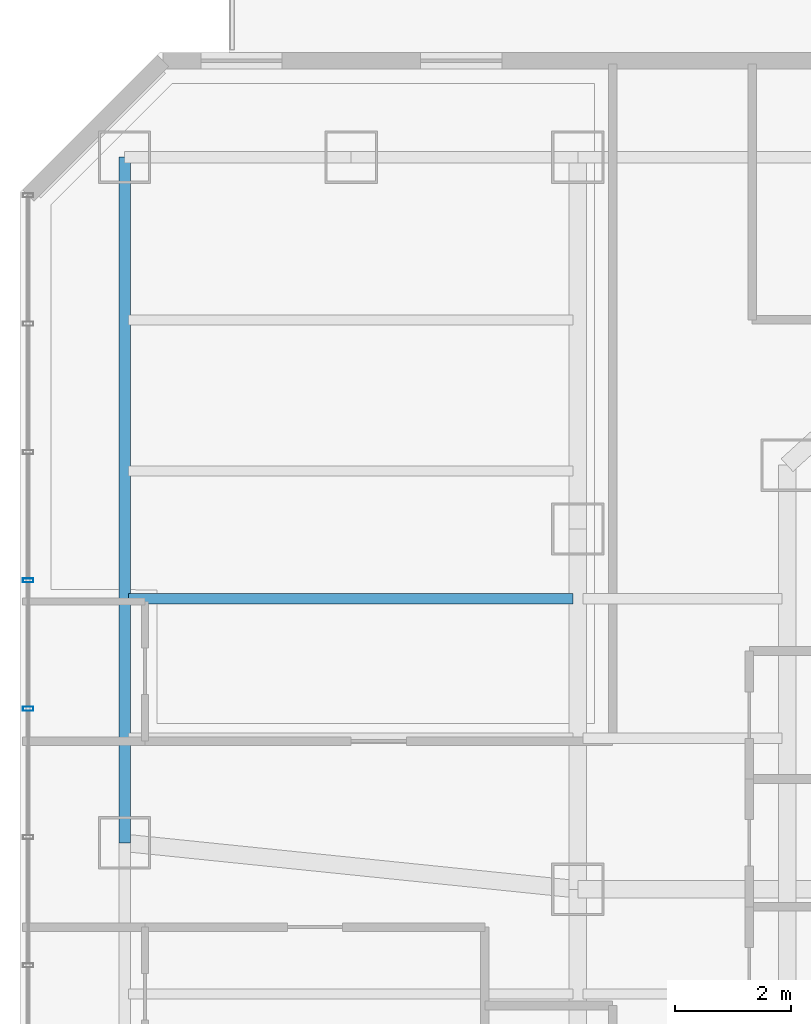
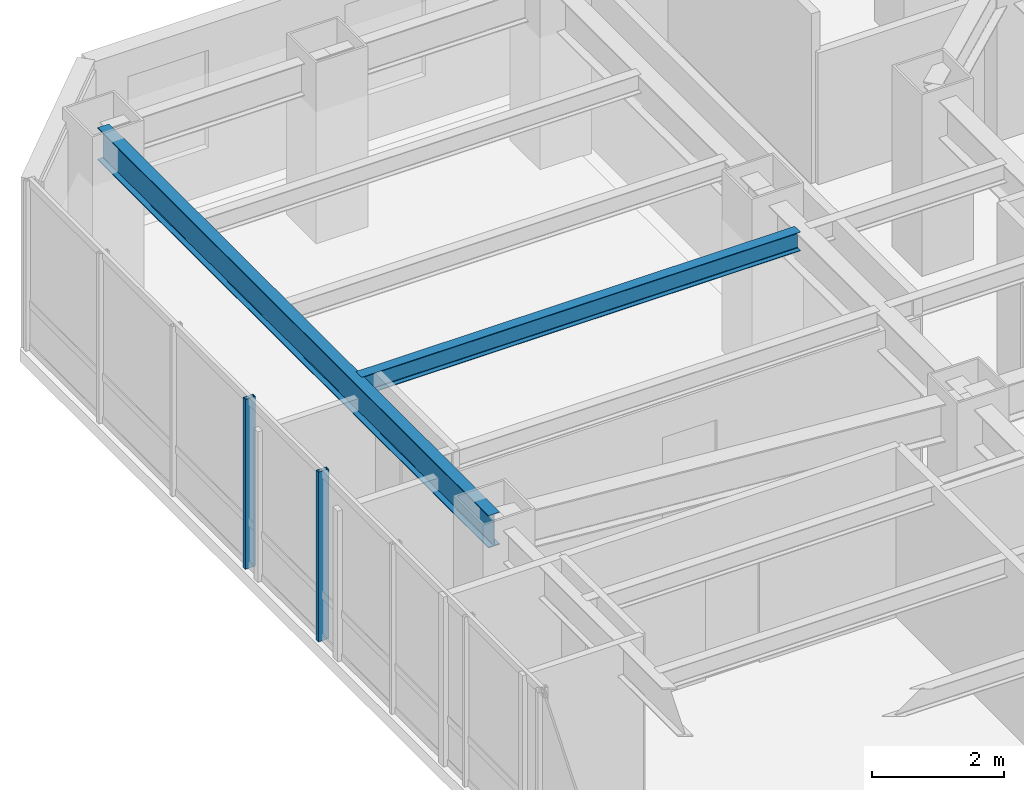
# One storey, part 15 of 31: 2 beams, 2 members, 1 element without a shape of its own.
"""IFC4 building model written with IfcOpenShell, lengths in metres."""

from ifc_helpers import new_model, si_unit, direction, frame, origin, origin_2d, place, context, subcontext, project, spatial, hollow_rectangle, i_section, extrude, material, layer, layer_set, material_profile, profile_set, type_object, element, aggregate, save


model = new_model("IFC4")

# Units and contexts
model_context = context("Model", 3, precision=1e-05, world=origin(), true_north=direction((0.0, 1.0)))
body_context = subcontext(model_context, "Body", "Model", "MODEL_VIEW")
ifc_project = project(units=[si_unit("LENGTHUNIT", "METRE"), si_unit("AREAUNIT", "SQUARE_METRE"), si_unit("VOLUMEUNIT", "CUBIC_METRE"), si_unit("PLANEANGLEUNIT", "RADIAN"), si_unit("MASSUNIT", "GRAM", prefix="KILO")], contexts=[model_context])

# Site, building, storey
site_placement = place(None, origin())
site = spatial("IfcSite", under=ifc_project, at=site_placement, CompositionType="ELEMENT")
building_placement = place(site_placement, origin())
building = spatial("IfcBuilding", under=site, at=building_placement, Name="Hatsunagi Terrace Concourse", CompositionType="ELEMENT")
storey_placement = place(building_placement, frame((0.0, 0.0, 77.949951171875)))
storey = spatial("IfcBuildingStorey", under=building, at=storey_placement, Name="L20", CompositionType="ELEMENT", Elevation=77.949951171875)

# Curtain wall, members
ifc_material_1 = material(Name="Anodised Aluminium Alloy 6063-T5", Category="aluminium")
ifc_layer = layer(ifc_material_1, 0.199951171875)
ifc_layer_set = layer_set([ifc_layer], Name="HotelFacade_CW02")
curtain_wall_type = type_object("IfcCurtainWallType", Name="HotelFacade_CW02", PredefinedType="NOTDEFINED", material=ifc_layer_set)
curtain_wall_placement = place(storey_placement, origin())
curtain_wall = element("IfcCurtainWall", 1, at=curtain_wall_placement, inside=storey, type_object=curtain_wall_type, Name="Unitised Curtain Wall CW-02 CW-L20-09", PredefinedType="NOTDEFINED")
ifc_material_2 = material(Name="Anodised Aluminium Alloy 6063-T5", Category="aluminium")
ifc_material_profile_1 = material_profile(ifc_material_2, hollow_rectangle(XDim=0.070068359375, YDim=0.179931640625, WallThickness=0.00390625, at=origin_2d()), Name="ALU-MUL-180x70x4")
ifc_profile_set_1 = profile_set([ifc_material_profile_1], Name="Anodised Aluminium Alloy 6063-T5")
member_type = type_object("IfcMemberType", Name="CurtainWallMullion_180x70", PredefinedType="MULLION", material=ifc_profile_set_1)
member_1_placement = place(storey_placement, frame((9.739990234375, 39.10791015625, 0.0), z_axis=(0.0, 0.0, 1.0), x_axis=(0.0, 1.0, 0.0)))
member_1 = element("IfcMember", 2, at=member_1_placement, type_object=member_type, Name="Curtain Wall Mullion MUL-02", PredefinedType="MULLION", context=body_context, shape_type="SweptSolid", body=[
    extrude(hollow_rectangle(XDim=0.070068359375, YDim=0.179931640625, WallThickness=0.00390625, at=origin_2d()), origin(), (0.0, 0.0, 1.0), 3.130126953125),
])
member_2_placement = place(storey_placement, frame((9.739990234375, 41.31689453125, 0.0), z_axis=(0.0, 0.0, 1.0), x_axis=(0.0, 1.0, 0.0)))
member_2 = element("IfcMember", 3, at=member_2_placement, type_object=member_type, Name="Curtain Wall Mullion MUL-02", PredefinedType="MULLION", context=body_context, shape_type="SweptSolid", body=[
    extrude(hollow_rectangle(XDim=0.070068359375, YDim=0.179931640625, WallThickness=0.00390625, at=origin_2d()), origin(), (0.0, 0.0, 1.0), 3.130126953125),
])
aggregate(curtain_wall, [member_1, member_2])

# Beams
ifc_material_3 = material(Name="Steel SN490B", Category="steel")
ifc_material_profile_2 = material_profile(ifc_material_3, i_section(OverallWidth=0.175048828125, OverallDepth=0.35009765625, WebThickness=0.007080078125, FlangeThickness=0.010986328125, FilletRadius=0.012939453125, at=origin_2d()), Name="H-350x175x7x11")
ifc_profile_set_2 = profile_set([ifc_material_profile_2], Name="Steel SN490B")
beam_type_1 = type_object("IfcBeamType", Name="HotelJoist_H_350x175", PredefinedType="JOIST", material=ifc_profile_set_2)
beam_1_placement = place(storey_placement, frame((11.465087890625, 41.0, 2.955078125), z_axis=(1.0, 0.0, 0.0), x_axis=(0.0, 1.0, 0.0)))
element("IfcBeam", 4, at=beam_1_placement, inside=storey, type_object=beam_type_1, Name="Beam J-02 J-L20-W-11-410", PredefinedType="JOIST", context=body_context, shape_type="SweptSolid", body=[
    extrude(i_section(OverallWidth=0.175048828125, OverallDepth=0.35009765625, WebThickness=0.007080078125, FlangeThickness=0.010986328125, FilletRadius=0.012939453125, at=origin_2d()), origin(), (0.0, 0.0, 1.0), 7.64990234375),
])
ifc_material_4 = material(Name="Steel SN490B", Category="steel")
ifc_material_profile_3 = material_profile(ifc_material_4, i_section(OverallWidth=0.199951171875, OverallDepth=0.60009765625, WebThickness=0.010986328125, FlangeThickness=0.01708984375, FilletRadius=0.01806640625, at=origin_2d()), Name="H-600x200x11x17")
ifc_profile_set_3 = profile_set([ifc_material_profile_3], Name="Steel SN490B")
beam_type_2 = type_object("IfcBeamType", Name="PerimeterSpandrel_H_600x200", PredefinedType="SPANDREL", material=ifc_profile_set_3)
beam_2_placement = place(storey_placement, frame((11.39990234375, 36.800048828125, 2.830078125), z_axis=(0.0, 1.0, 0.0), x_axis=(-1.0, 0.0, 0.0)))
element("IfcBeam", 5, at=beam_2_placement, inside=storey, type_object=beam_type_2, Name="Beam SP-01 BM-L20-NS-11-36", PredefinedType="SPANDREL", context=body_context, shape_type="SweptSolid", body=[
    extrude(i_section(OverallWidth=0.199951171875, OverallDepth=0.60009765625, WebThickness=0.010986328125, FlangeThickness=0.01708984375, FilletRadius=0.01806640625, at=origin_2d()), origin(), (0.0, 0.0, 1.0), 11.800048828125),
])

save(model, "model.ifc")
